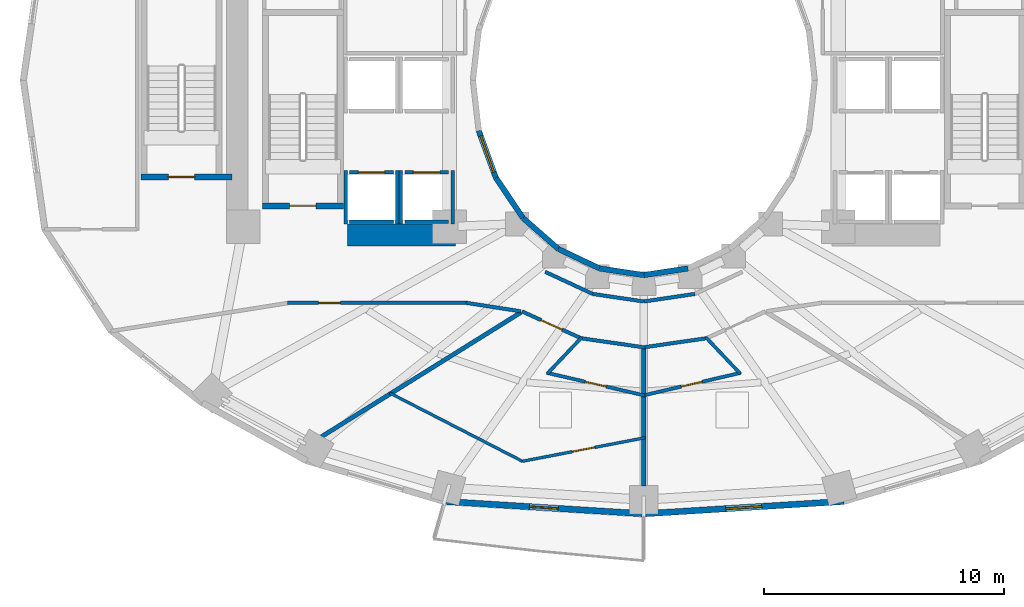
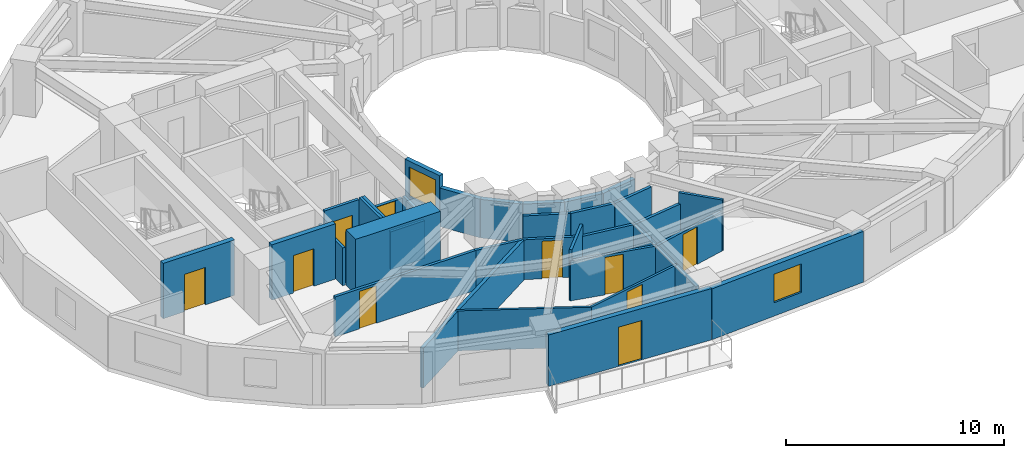
# One storey, part 7 of 14: 35 walls, 10 doors, 2 windows, 12 openings.
"""IFC4 building model written with IfcOpenShell, lengths in metres."""

from ifc_helpers import new_model, si_unit, direction, frame, frame_2d, origin, place, context, subcontext, project, spatial, rectangle, extrude, material, layer, layer_set, type_object, element, fill, save


model = new_model("IFC4")

# Units and contexts
model_context = context("Model", 3, precision=1e-05, world=origin(), true_north=direction((0.0, 1.0)))
body_context = subcontext(model_context, "Body", "Model", "MODEL_VIEW")
ifc_project = project(units=[si_unit("LENGTHUNIT", "METRE"), si_unit("AREAUNIT", "SQUARE_METRE"), si_unit("VOLUMEUNIT", "CUBIC_METRE"), si_unit("PLANEANGLEUNIT", "RADIAN"), si_unit("MASSUNIT", "GRAM", prefix="KILO")], contexts=[model_context])

# Site, building, storey
site_placement = place(None, origin())
site = spatial("IfcSite", under=ifc_project, at=site_placement, CompositionType="ELEMENT")
building_placement = place(site_placement, origin())
building = spatial("IfcBuilding", under=site, at=building_placement, Name="Solvane Sanctuary Tower", CompositionType="ELEMENT")
storey_placement = place(building_placement, frame((0.0, 0.0, 40.0)))
storey = spatial("IfcBuildingStorey", under=building, at=storey_placement, Name="L11", CompositionType="ELEMENT", Elevation=40.0)

# Walls
ifc_material_1 = material(Name="Concrete C70/85", Category="concrete")
ifc_layer_1 = layer(ifc_material_1, 0.89990234375, Name="Concrete C70/85")
ifc_layer_set_1 = layer_set([ifc_layer_1], Name="Concrete C70/85")
wall_type_1 = type_object("IfcWallType", Name="Wall W-CORE-900", PredefinedType="SHEAR", material=ifc_layer_set_1)
wall_1_placement = place(storey_placement, frame((19.64990234375, 16.550048828125, 0.0), z_axis=(0.0, 0.0, 1.0), x_axis=(1.0, 0.0, 0.0)))
element("IfcWall", 1, at=wall_1_placement, inside=storey, type_object=wall_type_1, Name="L11 Core Shear Wall WC-S", PredefinedType="SHEAR", context=body_context, shape_type="SweptSolid", body=[
    extrude(rectangle(XDim=4.5, YDim=0.89990234375, at=frame_2d((2.25, 0.0))), origin(), (0.0, 0.0, 1.0), 3.10009765625),
])
ifc_material_2 = material(Name="Acoustic Gypsum Partition Board")
ifc_layer_2 = layer(ifc_material_2, 0.14990234375, Name="Acoustic Gypsum Partition Board")
ifc_layer_set_2 = layer_set([ifc_layer_2], Name="Acoustic Gypsum Partition Board")
wall_type_2 = type_object("IfcWallType", Name="Wall W-CORR-150", PredefinedType="PARTITIONING", material=ifc_layer_set_2)
wall_2_placement = place(storey_placement, frame((27.889892578125, 15.01513671875, 0.0), z_axis=(0.0, 0.0, 1.0), x_axis=(0.906943449489, -0.421252393975, 0.0)))
element("IfcWall", 2, at=wall_2_placement, inside=storey, type_object=wall_type_2, Name="L11 Light-Well Corridor Rim Wall S1", PredefinedType="PARTITIONING", context=body_context, shape_type="SweptSolid", body=[
    extrude(rectangle(XDim=2.18603515625, YDim=0.14990234375, at=frame_2d((1.093017578125, 0.0))), origin(), (0.0, 0.0, 1.0), 2.237060546875),
])
for number, where, z_axis, x_axis, name in (
    (3, (29.87255859375, 14.09423828125, 0.0), (0.0, 0.0, 1.0), (0.989268584896, -0.146108408166, 0.0), "L11 Light-Well Corridor Rim Wall S2"),
    (4, (32.0, 13.780029296875, 0.0), (0.0, 0.0, 1.0), (0.989268584896, 0.146108408166, 0.0), "L11 Light-Well Corridor Rim Wall S3"),
):
    element("IfcWall", number, at=place(storey_placement, frame(where, z_axis=z_axis, x_axis=x_axis)), inside=storey, type_object=wall_type_2, Name=name, PredefinedType="PARTITIONING", context=body_context, shape_type="SweptSolid", body=[
        extrude(rectangle(XDim=2.150634765625, YDim=0.14990234375, at=frame_2d((1.0751953125, 0.0))), origin(), (0.0, 0.0, 1.0), 2.237060546875),
    ])
wall_3_placement = place(storey_placement, frame((26.880615234375, 13.369384765625, 0.0), z_axis=(0.0, 0.0, 1.0), x_axis=(-0.988184633586, 0.153268163508, 0.0)))
element("IfcWall", 5, at=wall_3_placement, inside=storey, type_object=wall_type_2, Name="L11 SW Corner Throat Wall", PredefinedType="PARTITIONING", context=body_context, shape_type="SweptSolid", body=[
    extrude(rectangle(XDim=2.317626953125, YDim=0.14990234375, at=frame_2d((1.15869140625, 0.0))), origin(), (0.0, 0.0, 1.0), 2.237060546875),
])

# Wall, opening, door
wall_4_placement = place(storey_placement, frame((17.14990234375, 13.719970703125, 0.0), z_axis=(0.0, 0.0, 1.0), x_axis=(1.0, 0.0, 0.0)))
wall_4 = element("IfcWall", 6, at=wall_4_placement, inside=storey, type_object=wall_type_2, Name="L11 SW Corner Corridor Wall", PredefinedType="PARTITIONING", context=body_context, shape_type="SweptSolid", body=[
    extrude(rectangle(XDim=7.52001953125, YDim=0.14990234375, at=frame_2d((3.760009765625, 0.0))), origin(), (0.0, 0.0, 1.0), 2.237060546875),
])
opening_1_placement = place(wall_4_placement, frame((1.300048828125, 0.0, 0.0)))
opening_1 = element("IfcOpeningElement", 7, at=opening_1_placement, cuts=wall_4, Name="Opening D-L11-16", PredefinedType="OPENING", context=body_context, shape_type="SweptSolid", body=[
    extrude(rectangle(XDim=0.89990234375, YDim=2.10009765625, at=frame_2d((0.449951171875, 1.050048828125))), frame((0.0, 0.0849609375, 0.0), z_axis=(0.0, -1.0, 0.0), x_axis=(1.0, 0.0, 0.0)), (0.0, 0.0, 1.0), 0.169921875),
])
ifc_material_3 = material(Name="Engineered Tropical Hardwood", Category="wood")
door_type_1 = type_object("IfcDoorType", Name="Door D-WET-900", OperationType="NOTDEFINED", PredefinedType="DOOR", material=ifc_material_3)
door_1_placement = place(opening_1_placement, origin())
door_1 = element("IfcDoor", 8, at=door_1_placement, inside=storey, type_object=door_type_1, Name="L11 SW Corner Salon Door", OperationType="SINGLE_SWING_RIGHT", OverallHeight=2.10009765625, OverallWidth=0.89990234375, PredefinedType="DOOR", context=body_context, shape_type="SweptSolid", body=[
    extrude(rectangle(XDim=0.89990234375, YDim=2.10009765625, at=frame_2d((0.449951171875, 1.050048828125))), frame((0.0, 0.02490234375, 0.0), z_axis=(0.0, -1.0, 0.0), x_axis=(1.0, 0.0, 0.0)), (0.0, 0.0, 1.0), 0.050048828125),
])
fill(opening_1, door_1)

# Wall
wall_5_placement = place(storey_placement, frame((29.32861328125, 12.25634765625, 0.0), z_axis=(0.0, 0.0, 1.0), x_axis=(0.989701115085, -0.143149232617, 0.0)))
element("IfcWall", 9, at=wall_5_placement, inside=storey, type_object=wall_type_2, Name="L11 En-suite Inner Wall S1", PredefinedType="PARTITIONING", context=body_context, shape_type="SweptSolid", body=[
    extrude(rectangle(XDim=2.749267578125, YDim=0.14990234375, at=frame_2d((1.37451171875, 0.0))), origin(), (0.0, 0.0, 1.0), 2.237060546875),
])

# Wall, opening, door
wall_6_placement = place(storey_placement, frame((26.928955078125, 13.364990234375, 0.0), z_axis=(0.0, 0.0, 1.0), x_axis=(0.910186679378, -0.414198272186, 0.0)))
wall_6 = element("IfcWall", 10, at=wall_6_placement, inside=storey, type_object=wall_type_2, Name="L11 Unit Corridor Wall S1", PredefinedType="PARTITIONING", context=body_context, shape_type="SweptSolid", body=[
    extrude(rectangle(XDim=2.698486328125, YDim=0.14990234375, at=frame_2d((1.34912109375, 0.0))), origin(), (0.0, 0.0, 1.0), 2.237060546875),
])
opening_2_placement = place(wall_6_placement, frame((0.874267578125, 0.0, 0.0)))
opening_2 = element("IfcOpeningElement", 11, at=opening_2_placement, cuts=wall_6, Name="Opening D-L11-25", PredefinedType="OPENING", context=body_context, shape_type="SweptSolid", body=[
    extrude(rectangle(XDim=0.949951171875, YDim=2.10009765625, at=frame_2d((0.47509765625, 1.050048828125))), frame((0.0, 0.0849609375, 0.0), z_axis=(0.0, -1.0, 0.0), x_axis=(1.0, 0.0, 0.0)), (0.0, 0.0, 1.0), 0.169921875),
])
door_type_2 = type_object("IfcDoorType", Name="Door D-ROOM-950", OperationType="NOTDEFINED", PredefinedType="DOOR", material=ifc_material_3)
door_2_placement = place(opening_2_placement, origin())
door_2 = element("IfcDoor", 12, at=door_2_placement, inside=storey, type_object=door_type_2, Name="L11 Unit Entrance Door S1", OperationType="SINGLE_SWING_LEFT", OverallHeight=2.10009765625, OverallWidth=0.949951171875, PredefinedType="DOOR", context=body_context, shape_type="SweptSolid", body=[
    extrude(rectangle(XDim=0.949951171875, YDim=2.10009765625, at=frame_2d((0.47509765625, 1.050048828125))), frame((0.0, 0.02490234375, 0.0), z_axis=(0.0, -1.0, 0.0), x_axis=(1.0, 0.0, 0.0)), (0.0, 0.0, 1.0), 0.050048828125),
])
fill(opening_2, door_2)

# Wall
wall_7_placement = place(storey_placement, frame((31.950439453125, 11.86279296875, 0.0), z_axis=(0.0, 0.0, 1.0), x_axis=(0.989701115085, 0.143149232617, 0.0)))
element("IfcWall", 13, at=wall_7_placement, inside=storey, type_object=wall_type_2, Name="L11 En-suite Inner Wall S2", PredefinedType="PARTITIONING", context=body_context, shape_type="SweptSolid", body=[
    extrude(rectangle(XDim=2.749267578125, YDim=0.14990234375, at=frame_2d((1.37451171875, 0.0))), origin(), (0.0, 0.0, 1.0), 2.237060546875),
])

# Wall, opening, door
ifc_material_4 = material(Name="Precast concrete C40/50", Category="concrete")
ifc_layer_3 = layer(ifc_material_4, 0.260009765625, Name="Precast concrete C40/50")
ifc_layer_set_3 = layer_set([ifc_layer_3], Name="Precast concrete C40/50")
wall_type_3 = type_object("IfcWallType", Name="Wall W-EXT-250", PredefinedType="STANDARD", material=ifc_layer_set_3)
wall_8_placement = place(storey_placement, frame((23.668212890625, 5.447021484375, 0.0), z_axis=(0.0, 0.0, 1.0), x_axis=(0.998090514779, -0.061768311519, 0.0)))
wall_8 = element("IfcWall", 14, at=wall_8_placement, inside=storey, type_object=wall_type_3, Name="L11 Balcony Facade Wall SC", PredefinedType="STANDARD", context=body_context, shape_type="SweptSolid", body=[
    extrude(rectangle(XDim=8.34765625, YDim=0.260009765625, at=frame_2d((4.173828125, 0.0))), origin(), (0.0, 0.0, 1.0), 2.8798828125),
])
opening_3_placement = place(wall_8_placement, frame((3.57373046875, 0.0, 0.0)))
opening_3 = element("IfcOpeningElement", 15, at=opening_3_placement, cuts=wall_8, Name="Opening D-L11-02", PredefinedType="OPENING", context=body_context, shape_type="SweptSolid", body=[
    extrude(rectangle(XDim=1.199951171875, YDim=2.199951171875, at=frame_2d((0.60009765625, 1.10009765625))), frame((0.0, 0.139892578125, 0.0), z_axis=(0.0, -1.0, 0.0), x_axis=(1.0, 0.0, 0.0)), (0.0, 0.0, 1.0), 0.280029296875),
])
ifc_material_5 = material(Name="Anodised Aluminium 6063-T6", Category="aluminium")
door_type_3 = type_object("IfcDoorType", Name="Door D-BALC-1200", OperationType="NOTDEFINED", PredefinedType="DOOR", material=ifc_material_5)
door_3_placement = place(opening_3_placement, origin())
door_3 = element("IfcDoor", 16, at=door_3_placement, inside=storey, type_object=door_type_3, Name="L11 Glazed Balcony Door SC", OperationType="SINGLE_SWING_LEFT", OverallHeight=2.199951171875, OverallWidth=1.199951171875, PredefinedType="DOOR", context=body_context, shape_type="SweptSolid", body=[
    extrude(rectangle(XDim=1.199951171875, YDim=2.199951171875, at=frame_2d((0.60009765625, 1.10009765625))), frame((0.0, 0.02490234375, 0.0), z_axis=(0.0, -1.0, 0.0), x_axis=(1.0, 0.0, 0.0)), (0.0, 0.0, 1.0), 0.050048828125),
])
fill(opening_3, door_3)

# Wall, opening, window
wall_9_placement = place(storey_placement, frame((32.0, 4.931396484375, 0.0), z_axis=(0.0, 0.0, 1.0), x_axis=(0.998090514779, 0.061768311519, 0.0)))
wall_9 = element("IfcWall", 17, at=wall_9_placement, inside=storey, type_object=wall_type_3, Name="L11 Ceramic-Printed Facade Wall 18", PredefinedType="STANDARD", context=body_context, shape_type="SweptSolid", body=[
    extrude(rectangle(XDim=8.34765625, YDim=0.260009765625, at=frame_2d((4.173828125, 0.0))), origin(), (0.0, 0.0, 1.0), 2.85009765625),
])
opening_4_placement = place(wall_9_placement, frame((3.423828125, 0.0, 0.75)))
opening_4 = element("IfcOpeningElement", 18, at=opening_4_placement, cuts=wall_9, Name="Opening WN-OPER-1500", PredefinedType="OPENING", context=body_context, shape_type="SweptSolid", body=[
    extrude(rectangle(XDim=1.5, YDim=1.60009765625, at=frame_2d((0.75, 0.800048828125))), frame((0.0, 0.139892578125, 0.0), z_axis=(0.0, -1.0, 0.0), x_axis=(1.0, 0.0, 0.0)), (0.0, 0.0, 1.0), 0.280029296875),
])
ifc_material_6 = material(Name="Dark Ceramic-Fritted Low-E Glass", Category="glass")
window_type_1 = type_object("IfcWindowType", Name="Window WN-OPER-1500", PartitioningType="SINGLE_PANEL", PredefinedType="WINDOW", material=ifc_material_6)
window_1_placement = place(opening_4_placement, origin())
window_1 = element("IfcWindow", 19, at=window_1_placement, inside=storey, type_object=window_type_1, Name="L11 Operable Facade Window 18", OverallHeight=1.60009765625, OverallWidth=1.5, PartitioningType="SINGLE_PANEL", PredefinedType="WINDOW", context=body_context, shape_type="SweptSolid", body=[
    extrude(rectangle(XDim=1.5, YDim=1.60009765625, at=frame_2d((0.75, 0.800048828125))), frame((0.0, 0.030029296875, 0.0), z_axis=(0.0, -1.0, 0.0), x_axis=(1.0, 0.0, 0.0)), (0.0, 0.0, 1.0), 0.06005859375),
])
fill(opening_4, window_1)

ifc_layer_4 = layer(ifc_material_4, 0.22998046875, Name="Precast concrete C40/50")
ifc_layer_set_4 = layer_set([ifc_layer_4], Name="Precast concrete C40/50")
wall_type_4 = type_object("IfcWallType", Name="Wall W-EXT-SP220", PredefinedType="STANDARD", material=ifc_layer_set_4)
wall_10_placement = place(storey_placement, frame((25.12255859375, 20.8984375, 0.0), z_axis=(0.0, 0.0, 1.0), x_axis=(0.341423187295, -0.93990968033, 0.0)))
wall_10 = element("IfcWall", 20, at=wall_10_placement, inside=storey, type_object=wall_type_4, Name="L11 Central Light-Well Wall 13", PredefinedType="STANDARD", context=body_context, shape_type="SweptSolid", body=[
    extrude(rectangle(XDim=2.083740234375, YDim=0.22998046875, at=frame_2d((1.0419921875, 0.0))), origin(), (0.0, 0.0, 1.0), 2.840087890625),
])
opening_5_placement = place(wall_10_placement, frame((0.24169921875, 0.0, 0.85009765625)))
opening_5 = element("IfcOpeningElement", 21, at=opening_5_placement, cuts=wall_10, Name="Opening WN-WELL-1600", PredefinedType="OPENING", context=body_context, shape_type="SweptSolid", body=[
    extrude(rectangle(XDim=1.60009765625, YDim=1.64990234375, at=frame_2d((0.800048828125, 0.824951171875))), frame((0.0, 0.125, 0.0), z_axis=(0.0, -1.0, 0.0), x_axis=(1.0, 0.0, 0.0)), (0.0, 0.0, 1.0), 0.25),
])
ifc_material_7 = material(Name="Clear Laminated Light-Well Glass", Category="glass")
window_type_2 = type_object("IfcWindowType", Name="Window WN-WELL-1600", PartitioningType="SINGLE_PANEL", PredefinedType="WINDOW", material=ifc_material_7)
window_2_placement = place(opening_5_placement, origin())
window_2 = element("IfcWindow", 22, at=window_2_placement, inside=storey, type_object=window_type_2, Name="L11 Light-Well Daylight Window 13", OverallHeight=1.64990234375, OverallWidth=1.60009765625, PartitioningType="SINGLE_PANEL", PredefinedType="WINDOW", context=body_context, shape_type="SweptSolid", body=[
    extrude(rectangle(XDim=1.60009765625, YDim=1.64990234375, at=frame_2d((0.800048828125, 0.824951171875))), frame((0.0, 0.030029296875, 0.0), z_axis=(0.0, -1.0, 0.0), x_axis=(1.0, 0.0, 0.0)), (0.0, 0.0, 1.0), 0.06005859375),
])
fill(opening_5, window_2)

# Walls
wall_11_placement = place(storey_placement, frame((25.833984375, 18.93994140625, 0.0), z_axis=(0.0, 0.0, 1.0), x_axis=(0.558197800898, -0.829707909492, 0.0)))
element("IfcWall", 23, at=wall_11_placement, inside=storey, type_object=wall_type_4, Name="L11 Central Light-Well Wall 14", PredefinedType="STANDARD", context=body_context, shape_type="SweptSolid", body=[
    extrude(rectangle(XDim=2.02685546875, YDim=0.22998046875, at=frame_2d((1.013427734375, 0.0))), origin(), (0.0, 0.0, 1.0), 2.159912109375),
])
wall_12_placement = place(storey_placement, frame((26.96533203125, 17.25830078125, 0.0), z_axis=(0.0, 0.0, 1.0), x_axis=(0.752576694707, -0.658504607869, 0.0)))
element("IfcWall", 24, at=wall_12_placement, inside=storey, type_object=wall_type_4, Name="L11 Central Light-Well Wall 15", PredefinedType="STANDARD", context=body_context, shape_type="SweptSolid", body=[
    extrude(rectangle(XDim=1.95947265625, YDim=0.22998046875, at=frame_2d((0.979736328125, 0.0))), origin(), (0.0, 0.0, 1.0), 2.159912109375),
])
wall_13_placement = place(storey_placement, frame((28.43994140625, 15.968017578125, 0.0), z_axis=(0.0, 0.0, 1.0), x_axis=(0.904179699603, -0.427152280606, 0.0)))
element("IfcWall", 25, at=wall_13_placement, inside=storey, type_object=wall_type_4, Name="L11 Central Light-Well Wall 16", PredefinedType="STANDARD", context=body_context, shape_type="SweptSolid", body=[
    extrude(rectangle(XDim=1.899169921875, YDim=0.22998046875, at=frame_2d((0.94970703125, 0.0))), origin(), (0.0, 0.0, 1.0), 2.159912109375),
])
for number, where, z_axis, x_axis, name in (
    (26, (30.1572265625, 15.15673828125, 0.0), (0.0, 0.0, 1.0), (0.988901730308, -0.148571086668, 0.0), "L11 Central Light-Well Wall 17"),
    (27, (32.0, 14.8798828125, 0.0), (0.0, 0.0, 1.0), (0.988901730308, 0.148571086668, 0.0), "L11 Central Light-Well Wall 18"),
):
    element("IfcWall", number, at=place(storey_placement, frame(where, z_axis=z_axis, x_axis=x_axis)), inside=storey, type_object=wall_type_4, Name=name, PredefinedType="STANDARD", context=body_context, shape_type="SweptSolid", body=[
        extrude(rectangle(XDim=1.863525390625, YDim=0.22998046875, at=frame_2d((0.931640625, 0.0))), origin(), (0.0, 0.0, 1.0), 2.159912109375),
    ])
ifc_layer_5 = layer(ifc_material_2, 0.1201171875, Name="Acoustic Gypsum Partition Board")
ifc_layer_set_5 = layer_set([ifc_layer_5], Name="Acoustic Gypsum Partition Board")
wall_type_5 = type_object("IfcWallType", Name="Wall W-MOV-100", PredefinedType="MOVABLE", material=ifc_layer_set_5)
wall_14_placement = place(storey_placement, frame((21.40869140625, 9.96728515625, 0.0), z_axis=(0.0, 0.0, 1.0), x_axis=(0.889172609005, -0.457571930296, 0.0)))
element("IfcWall", 28, at=wall_14_placement, inside=storey, type_object=wall_type_5, Name="L11 Suite Sitting Lounge Partition S1", PredefinedType="MOVABLE", context=body_context, shape_type="SweptSolid", body=[
    extrude(rectangle(XDim=6.232421875, YDim=0.1201171875, at=frame_2d((3.1162109375, 0.0))), origin(), (0.0, 0.0, 1.0), 2.237060546875),
])

# Wall, opening, door
wall_15_placement = place(storey_placement, frame((26.931884765625, 7.1181640625, 0.0), z_axis=(0.0, 0.0, 1.0), x_axis=(0.982039182538, 0.188677089126, 0.0)))
wall_15 = element("IfcWall", 29, at=wall_15_placement, inside=storey, type_object=wall_type_5, Name="L11 Suite Sitting Lounge Partition S1", PredefinedType="MOVABLE", context=body_context, shape_type="SweptSolid", body=[
    extrude(rectangle(XDim=5.210693359375, YDim=0.1201171875, at=frame_2d((2.60546875, 0.0))), origin(), (0.0, 0.0, 1.0), 2.237060546875),
])
opening_6_placement = place(wall_15_placement, frame((2.130615234375, 0.0, 0.0)))
opening_6 = element("IfcOpeningElement", 30, at=opening_6_placement, cuts=wall_15, Name="Opening D-L11-23", PredefinedType="OPENING", context=body_context, shape_type="SweptSolid", body=[
    extrude(rectangle(XDim=0.949951171875, YDim=2.10009765625, at=frame_2d((0.47509765625, 1.050048828125))), frame((0.0, 0.070068359375, 0.0), z_axis=(0.0, -1.0, 0.0), x_axis=(1.0, 0.0, 0.0)), (0.0, 0.0, 1.0), 0.14013671875),
])
door_4_placement = place(opening_6_placement, origin())
door_4 = element("IfcDoor", 31, at=door_4_placement, inside=storey, type_object=door_type_2, Name="L11 Suite Sitting Lounge Door S1", OperationType="SINGLE_SWING_LEFT", OverallHeight=2.10009765625, OverallWidth=0.949951171875, PredefinedType="DOOR", context=body_context, shape_type="SweptSolid", body=[
    extrude(rectangle(XDim=0.949951171875, YDim=2.10009765625, at=frame_2d((0.47509765625, 1.050048828125))), frame((0.0, 0.02490234375, 0.0), z_axis=(0.0, -1.0, 0.0), x_axis=(1.0, 0.0, 0.0)), (0.0, 0.0, 1.0), 0.050048828125),
])
fill(opening_6, door_4)

ifc_material_8 = material(Name="Concrete C50/60", Category="concrete")
ifc_layer_6 = layer(ifc_material_8, 0.14990234375, Name="Concrete C50/60")
ifc_layer_set_6 = layer_set([ifc_layer_6], Name="Concrete C50/60")
wall_type_6 = type_object("IfcWallType", Name="Wall W-SHAFT-150", PredefinedType="SOLIDWALL", material=ifc_layer_set_6)
wall_16_placement = place(storey_placement, frame((19.739990234375, 19.159912109375, 0.0), z_axis=(0.0, 0.0, 1.0), x_axis=(1.0, 0.0, 0.0)))
wall_16 = element("IfcWall", 32, at=wall_16_placement, inside=storey, type_object=wall_type_6, Name="L11 PL-1 Lift Shaft Wall F", PredefinedType="SOLIDWALL", context=body_context, shape_type="SweptSolid", body=[
    extrude(rectangle(XDim=1.820068359375, YDim=0.14990234375, at=frame_2d((0.91015625, 0.0))), origin(), (0.0, 0.0, 1.0), 2.85498046875),
])
opening_7_placement = place(wall_16_placement, frame((0.360107421875, 0.0, 0.0)))
opening_7 = element("IfcOpeningElement", 33, at=opening_7_placement, cuts=wall_16, Name="Opening LD-L11-01", PredefinedType="OPENING", context=body_context, shape_type="SweptSolid", body=[
    extrude(rectangle(XDim=1.10009765625, YDim=2.10009765625, at=frame_2d((0.550048828125, 1.050048828125))), frame((0.0, 0.0849609375, 0.0), z_axis=(0.0, -1.0, 0.0), x_axis=(1.0, 0.0, 0.0)), (0.0, 0.0, 1.0), 0.169921875),
])
ifc_material_9 = material(Name="Architectural Stainless Steel 316", Category="steel")
door_type_4 = type_object("IfcDoorType", Name="Door LD-PASS-1100", OperationType="NOTDEFINED", PredefinedType="DOOR", material=ifc_material_9)
door_5_placement = place(opening_7_placement, origin())
door_5 = element("IfcDoor", 34, at=door_5_placement, inside=storey, type_object=door_type_4, Name="L11 PL-1 Lift Landing Door", OperationType="DOUBLE_DOOR_SLIDING", OverallHeight=2.10009765625, OverallWidth=1.10009765625, PredefinedType="DOOR", context=body_context, shape_type="SweptSolid", body=[
    extrude(rectangle(XDim=1.10009765625, YDim=2.10009765625, at=frame_2d((0.550048828125, 1.050048828125))), frame((0.0, 0.02490234375, 0.0), z_axis=(0.0, -1.0, 0.0), x_axis=(1.0, 0.0, 0.0)), (0.0, 0.0, 1.0), 0.050048828125),
])
fill(opening_7, door_5)

# Walls
wall_17_placement = place(storey_placement, frame((19.739990234375, 17.10009765625, 0.0), z_axis=(0.0, 0.0, 1.0), x_axis=(1.0, 0.0, 0.0)))
element("IfcWall", 35, at=wall_17_placement, inside=storey, type_object=wall_type_6, Name="L11 PL-1 Lift Shaft Wall B", PredefinedType="SOLIDWALL", context=body_context, shape_type="SweptSolid", body=[
    extrude(rectangle(XDim=1.820068359375, YDim=0.14990234375, at=frame_2d((0.91015625, 0.0))), origin(), (0.0, 0.0, 1.0), 2.85498046875),
])
wall_18_placement = place(storey_placement, frame((19.570068359375, 17.02001953125, 0.0), z_axis=(0.0, 0.0, 1.0), x_axis=(0.0, 1.0, 0.0)))
element("IfcWall", 36, at=wall_18_placement, inside=storey, type_object=wall_type_6, Name="L11 PL-1 Lift Shaft Wall S1", PredefinedType="SOLIDWALL", context=body_context, shape_type="SweptSolid", body=[
    extrude(rectangle(XDim=2.219970703125, YDim=0.14990234375, at=frame_2d((1.10986328125, 0.0))), origin(), (0.0, 0.0, 1.0), 2.1201171875),
])
wall_19_placement = place(storey_placement, frame((21.72998046875, 17.02001953125, 0.0), z_axis=(0.0, 0.0, 1.0), x_axis=(0.0, 1.0, 0.0)))
element("IfcWall", 37, at=wall_19_placement, inside=storey, type_object=wall_type_6, Name="L11 PL-1 Lift Shaft Wall S2", PredefinedType="SOLIDWALL", context=body_context, shape_type="SweptSolid", body=[
    extrude(rectangle(XDim=2.219970703125, YDim=0.14990234375, at=frame_2d((1.10986328125, 0.0))), origin(), (0.0, 0.0, 1.0), 2.85498046875),
])

# Wall, opening, door
wall_20_placement = place(storey_placement, frame((22.0400390625, 19.159912109375, 0.0), z_axis=(0.0, 0.0, 1.0), x_axis=(1.0, 0.0, 0.0)))
wall_20 = element("IfcWall", 38, at=wall_20_placement, inside=storey, type_object=wall_type_6, Name="L11 PL-2 Lift Shaft Wall F", PredefinedType="SOLIDWALL", context=body_context, shape_type="SweptSolid", body=[
    extrude(rectangle(XDim=1.820068359375, YDim=0.14990234375, at=frame_2d((0.91015625, 0.0))), origin(), (0.0, 0.0, 1.0), 2.1201171875),
])
opening_8_placement = place(wall_20_placement, frame((0.360107421875, 0.0, 0.0)))
opening_8 = element("IfcOpeningElement", 39, at=opening_8_placement, cuts=wall_20, Name="Opening LD-L11-02", PredefinedType="OPENING", context=body_context, shape_type="SweptSolid", body=[
    extrude(rectangle(XDim=1.10009765625, YDim=2.10009765625, at=frame_2d((0.550048828125, 1.050048828125))), frame((0.0, 0.0849609375, 0.0), z_axis=(0.0, -1.0, 0.0), x_axis=(1.0, 0.0, 0.0)), (0.0, 0.0, 1.0), 0.169921875),
])
door_6_placement = place(opening_8_placement, origin())
door_6 = element("IfcDoor", 40, at=door_6_placement, inside=storey, type_object=door_type_4, Name="L11 PL-2 Lift Landing Door", OperationType="DOUBLE_DOOR_SLIDING", OverallHeight=2.10009765625, OverallWidth=1.10009765625, PredefinedType="DOOR", context=body_context, shape_type="SweptSolid", body=[
    extrude(rectangle(XDim=1.10009765625, YDim=2.10009765625, at=frame_2d((0.550048828125, 1.050048828125))), frame((0.0, 0.02490234375, 0.0), z_axis=(0.0, -1.0, 0.0), x_axis=(1.0, 0.0, 0.0)), (0.0, 0.0, 1.0), 0.050048828125),
])
fill(opening_8, door_6)

# Walls
wall_21_placement = place(storey_placement, frame((22.0400390625, 17.10009765625, 0.0), z_axis=(0.0, 0.0, 1.0), x_axis=(1.0, 0.0, 0.0)))
element("IfcWall", 41, at=wall_21_placement, inside=storey, type_object=wall_type_6, Name="L11 PL-2 Lift Shaft Wall B", PredefinedType="SOLIDWALL", context=body_context, shape_type="SweptSolid", body=[
    extrude(rectangle(XDim=1.820068359375, YDim=0.14990234375, at=frame_2d((0.91015625, 0.0))), origin(), (0.0, 0.0, 1.0), 2.1201171875),
])
wall_22_placement = place(storey_placement, frame((21.8701171875, 17.02001953125, 0.0), z_axis=(0.0, 0.0, 1.0), x_axis=(0.0, 1.0, 0.0)))
element("IfcWall", 42, at=wall_22_placement, inside=storey, type_object=wall_type_6, Name="L11 PL-2 Lift Shaft Wall S1", PredefinedType="SOLIDWALL", context=body_context, shape_type="SweptSolid", body=[
    extrude(rectangle(XDim=2.219970703125, YDim=0.14990234375, at=frame_2d((1.10986328125, 0.0))), origin(), (0.0, 0.0, 1.0), 2.85498046875),
])
wall_23_placement = place(storey_placement, frame((24.030029296875, 17.02001953125, 0.0), z_axis=(0.0, 0.0, 1.0), x_axis=(0.0, 1.0, 0.0)))
element("IfcWall", 43, at=wall_23_placement, inside=storey, type_object=wall_type_6, Name="L11 PL-2 Lift Shaft Wall S2", PredefinedType="SOLIDWALL", context=body_context, shape_type="SweptSolid", body=[
    extrude(rectangle(XDim=2.219970703125, YDim=0.14990234375, at=frame_2d((1.10986328125, 0.0))), origin(), (0.0, 0.0, 1.0), 2.1201171875),
])

# Wall, opening, door
ifc_layer_7 = layer(ifc_material_8, 0.25, Name="Concrete C50/60")
ifc_layer_set_7 = layer_set([ifc_layer_7], Name="Concrete C50/60")
wall_type_7 = type_object("IfcWallType", Name="Wall W-SHAFT-250", PredefinedType="SOLIDWALL", material=ifc_layer_set_7)
wall_24_placement = place(storey_placement, frame((16.10498046875, 17.77001953125, 0.0), z_axis=(0.0, 0.0, 1.0), x_axis=(1.0, 0.0, 0.0)))
wall_24 = element("IfcWall", 44, at=wall_24_placement, inside=storey, type_object=wall_type_7, Name="L11 ST-1 Load-Bearing Shaft Wall S", PredefinedType="SOLIDWALL", context=body_context, shape_type="SweptSolid", body=[
    extrude(rectangle(XDim=3.3701171875, YDim=0.25, at=frame_2d((1.68505859375, 0.0))), origin(), (0.0, 0.0, 1.0), 3.10009765625),
])
opening_9_placement = place(wall_24_placement, frame((1.135009765625, 0.0, 0.0)))
opening_9 = element("IfcOpeningElement", 45, at=opening_9_placement, cuts=wall_24, Name="Opening D-L11-03", PredefinedType="OPENING", context=body_context, shape_type="SweptSolid", body=[
    extrude(rectangle(XDim=1.10009765625, YDim=2.10009765625, at=frame_2d((0.550048828125, 1.050048828125))), frame((0.0, 0.135009765625, 0.0), z_axis=(0.0, -1.0, 0.0), x_axis=(1.0, 0.0, 0.0)), (0.0, 0.0, 1.0), 0.27001953125),
])
door_type_5 = type_object("IfcDoorType", Name="Door D-STAIR", OperationType="NOTDEFINED", PredefinedType="DOOR", material=ifc_material_9)
door_7_placement = place(opening_9_placement, origin())
door_7 = element("IfcDoor", 46, at=door_7_placement, inside=storey, type_object=door_type_5, Name="L11 ST-1 Exit Stair Fire Door", OperationType="SINGLE_SWING_LEFT", OverallHeight=2.10009765625, OverallWidth=1.10009765625, PredefinedType="DOOR", context=body_context, shape_type="SweptSolid", body=[
    extrude(rectangle(XDim=1.10009765625, YDim=2.10009765625, at=frame_2d((0.550048828125, 1.050048828125))), frame((0.0, 0.02490234375, 0.0), z_axis=(0.0, -1.0, 0.0), x_axis=(1.0, 0.0, 0.0)), (0.0, 0.0, 1.0), 0.050048828125),
])
fill(opening_9, door_7)

wall_25_placement = place(storey_placement, frame((11.044921875, 18.969970703125, 0.0), z_axis=(0.0, 0.0, 1.0), x_axis=(1.0, 0.0, 0.0)))
wall_25 = element("IfcWall", 47, at=wall_25_placement, inside=storey, type_object=wall_type_7, Name="L11 ST-3 Load-Bearing Shaft Wall S", PredefinedType="SOLIDWALL", context=body_context, shape_type="SweptSolid", body=[
    extrude(rectangle(XDim=3.781982421875, YDim=0.25, at=frame_2d((1.89111328125, 0.0))), origin(), (0.0, 0.0, 1.0), 3.10009765625),
])
opening_10_placement = place(wall_25_placement, frame((1.135009765625, 0.0, 0.0)))
opening_10 = element("IfcOpeningElement", 48, at=opening_10_placement, cuts=wall_25, Name="Opening D-L11-05", PredefinedType="OPENING", context=body_context, shape_type="SweptSolid", body=[
    extrude(rectangle(XDim=1.10009765625, YDim=2.10009765625, at=frame_2d((0.550048828125, 1.050048828125))), frame((0.0, 0.135009765625, 0.0), z_axis=(0.0, -1.0, 0.0), x_axis=(1.0, 0.0, 0.0)), (0.0, 0.0, 1.0), 0.27001953125),
])
door_8_placement = place(opening_10_placement, origin())
door_8 = element("IfcDoor", 49, at=door_8_placement, inside=storey, type_object=door_type_5, Name="L11 ST-3 Exit Stair Fire Door", OperationType="SINGLE_SWING_LEFT", OverallHeight=2.10009765625, OverallWidth=1.10009765625, PredefinedType="DOOR", context=body_context, shape_type="SweptSolid", body=[
    extrude(rectangle(XDim=1.10009765625, YDim=2.10009765625, at=frame_2d((0.550048828125, 1.050048828125))), frame((0.0, 0.02490234375, 0.0), z_axis=(0.0, -1.0, 0.0), x_axis=(1.0, 0.0, 0.0)), (0.0, 0.0, 1.0), 0.050048828125),
])
fill(opening_10, door_8)

# Walls
ifc_layer_8 = layer(ifc_material_2, 0.179931640625, Name="Acoustic Gypsum Partition Board")
ifc_layer_set_8 = layer_set([ifc_layer_8], Name="Acoustic Gypsum Partition Board")
wall_type_8 = type_object("IfcWallType", Name="Wall W-UNIT-180", PredefinedType="PARTITIONING", material=ifc_layer_set_8)
wall_26_placement = place(storey_placement, frame((26.88818359375, 13.33203125, 0.0), z_axis=(0.0, 0.0, 1.0), x_axis=(-0.848647785721, -0.52895834977, 0.0)))
element("IfcWall", 50, at=wall_26_placement, inside=storey, type_object=wall_type_8, Name="L11 Radial Compartment Wall 240", PredefinedType="PARTITIONING", context=body_context, shape_type="SweptSolid", body=[
    extrude(rectangle(XDim=9.810302734375, YDim=0.179931640625, at=frame_2d((4.9052734375, 0.0))), origin(), (0.0, 0.0, 1.0), 2.237060546875),
])
wall_27_placement = place(storey_placement, frame((32.0, 11.81494140625, 0.0), z_axis=(0.0, 0.0, 1.0), x_axis=(0.0, -1.0, 0.0)))
element("IfcWall", 51, at=wall_27_placement, inside=storey, type_object=wall_type_8, Name="L11 Radial Compartment Wall 270", PredefinedType="PARTITIONING", context=body_context, shape_type="SweptSolid", body=[
    extrude(rectangle(XDim=5.71484375, YDim=0.179931640625, at=frame_2d((2.857421875, 0.0))), origin(), (0.0, 0.0, 1.0), 2.237060546875),
])
ifc_layer_9 = layer(ifc_material_2, 0.139892578125, Name="Acoustic Gypsum Partition Board")
ifc_layer_set_9 = layer_set([ifc_layer_9], Name="Acoustic Gypsum Partition Board")
wall_type_9 = type_object("IfcWallType", Name="Wall W-WET-140", PredefinedType="PLUMBINGWALL", material=ifc_layer_set_9)
wall_28_placement = place(storey_placement, frame((29.41259765625, 12.285400390625, 0.0), z_axis=(0.0, 0.0, 1.0), x_axis=(-0.687544693502, -0.72614206216, 0.0)))
element("IfcWall", 52, at=wall_28_placement, inside=storey, type_object=wall_type_9, Name="L11 En-suite Side Partition S1", PredefinedType="PLUMBINGWALL", context=body_context, shape_type="SweptSolid", body=[
    extrude(rectangle(XDim=2.10009765625, YDim=0.139892578125, at=frame_2d((1.050048828125, 0.0))), origin(), (0.0, 0.0, 1.0), 2.85498046875),
])

# Wall, opening, door
wall_29_placement = place(storey_placement, frame((27.954345703125, 10.80810546875, 0.0), z_axis=(0.0, 0.0, 1.0), x_axis=(0.974148813221, -0.225907259071, 0.0)))
wall_29 = element("IfcWall", 53, at=wall_29_placement, inside=storey, type_object=wall_type_9, Name="L11 En-suite Bedroom Wall S1", PredefinedType="PLUMBINGWALL", context=body_context, shape_type="SweptSolid", body=[
    extrude(rectangle(XDim=4.202880859375, YDim=0.139892578125, at=frame_2d((2.1015625, 0.0))), origin(), (0.0, 0.0, 1.0), 2.237060546875),
])
opening_11_placement = place(wall_29_placement, frame((1.651611328125, 0.0, 0.0)))
opening_11 = element("IfcOpeningElement", 54, at=opening_11_placement, cuts=wall_29, Name="Opening D-L11-24", PredefinedType="OPENING", context=body_context, shape_type="SweptSolid", body=[
    extrude(rectangle(XDim=0.89990234375, YDim=2.10009765625, at=frame_2d((0.449951171875, 1.050048828125))), frame((0.0, 0.079833984375, 0.0), z_axis=(0.0, -1.0, 0.0), x_axis=(1.0, 0.0, 0.0)), (0.0, 0.0, 1.0), 0.159912109375),
])
door_9_placement = place(opening_11_placement, origin())
door_9 = element("IfcDoor", 55, at=door_9_placement, inside=storey, type_object=door_type_1, Name="L11 En-suite Bathroom Door S1", OperationType="SINGLE_SWING_RIGHT", OverallHeight=2.10009765625, OverallWidth=0.89990234375, PredefinedType="DOOR", context=body_context, shape_type="SweptSolid", body=[
    extrude(rectangle(XDim=0.89990234375, YDim=2.10009765625, at=frame_2d((0.449951171875, 1.050048828125))), frame((0.0, 0.02490234375, 0.0), z_axis=(0.0, -1.0, 0.0), x_axis=(1.0, 0.0, 0.0)), (0.0, 0.0, 1.0), 0.050048828125),
])
fill(opening_11, door_9)

# Wall
wall_30_placement = place(storey_placement, frame((34.58740234375, 12.285400390625, 0.0), z_axis=(0.0, 0.0, 1.0), x_axis=(0.687544693502, -0.72614206216, 0.0)))
element("IfcWall", 56, at=wall_30_placement, inside=storey, type_object=wall_type_9, Name="L11 En-suite Side Partition S2", PredefinedType="PLUMBINGWALL", context=body_context, shape_type="SweptSolid", body=[
    extrude(rectangle(XDim=2.10009765625, YDim=0.139892578125, at=frame_2d((1.050048828125, 0.0))), origin(), (0.0, 0.0, 1.0), 2.85498046875),
])

# Wall, opening, door
wall_31_placement = place(storey_placement, frame((31.951416015625, 9.858642578125, 0.0), z_axis=(0.0, 0.0, 1.0), x_axis=(0.974148813221, 0.225907259071, 0.0)))
wall_31 = element("IfcWall", 57, at=wall_31_placement, inside=storey, type_object=wall_type_9, Name="L11 En-suite Bedroom Wall S2", PredefinedType="PLUMBINGWALL", context=body_context, shape_type="SweptSolid", body=[
    extrude(rectangle(XDim=4.202880859375, YDim=0.139892578125, at=frame_2d((2.1015625, 0.0))), origin(), (0.0, 0.0, 1.0), 2.237060546875),
])
opening_12_placement = place(wall_31_placement, frame((1.651611328125, 0.0, 0.0)))
opening_12 = element("IfcOpeningElement", 58, at=opening_12_placement, cuts=wall_31, Name="Opening D-L11-26", PredefinedType="OPENING", context=body_context, shape_type="SweptSolid", body=[
    extrude(rectangle(XDim=0.89990234375, YDim=2.10009765625, at=frame_2d((0.449951171875, 1.050048828125))), frame((0.0, 0.079833984375, 0.0), z_axis=(0.0, -1.0, 0.0), x_axis=(1.0, 0.0, 0.0)), (0.0, 0.0, 1.0), 0.159912109375),
])
door_10_placement = place(opening_12_placement, origin())
door_10 = element("IfcDoor", 59, at=door_10_placement, inside=storey, type_object=door_type_1, Name="L11 En-suite Bathroom Door S2", OperationType="SINGLE_SWING_RIGHT", OverallHeight=2.10009765625, OverallWidth=0.89990234375, PredefinedType="DOOR", context=body_context, shape_type="SweptSolid", body=[
    extrude(rectangle(XDim=0.89990234375, YDim=2.10009765625, at=frame_2d((0.449951171875, 1.050048828125))), frame((0.0, 0.02490234375, 0.0), z_axis=(0.0, -1.0, 0.0), x_axis=(1.0, 0.0, 0.0)), (0.0, 0.0, 1.0), 0.050048828125),
])
fill(opening_12, door_10)

save(model, "model.ifc")
